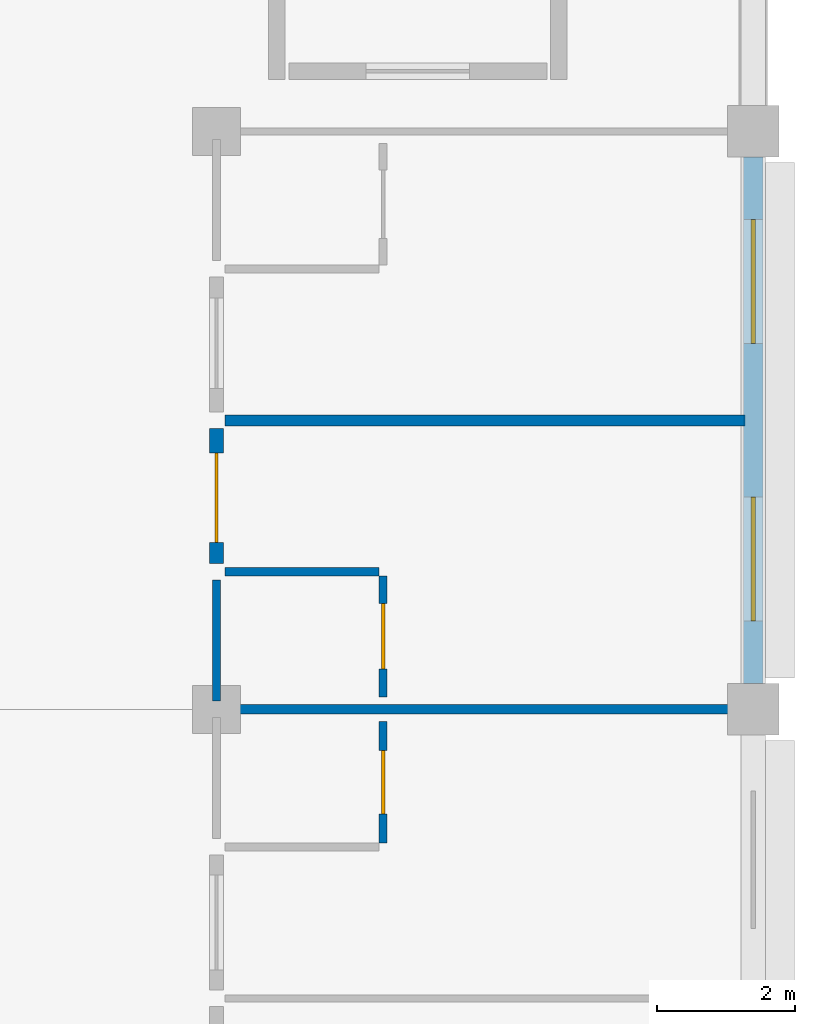
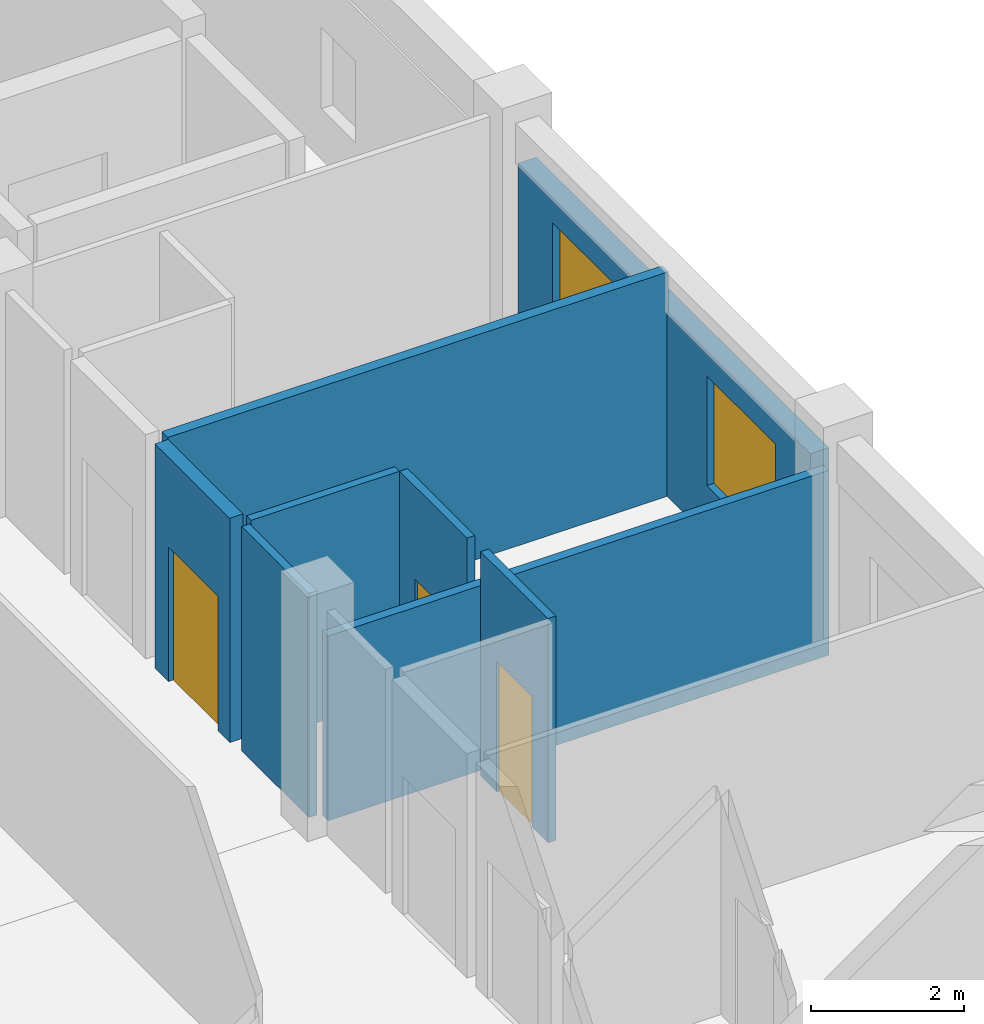
# One storey, part 56 of 72: 8 walls, 3 doors, 2 windows, 5 openings.
"""IFC4 building model written with IfcOpenShell, lengths in metres."""

from ifc_helpers import new_model, si_unit, direction, frame, frame_2d, origin, place, context, subcontext, project, spatial, rectangle, extrude, material, layer, layer_set, type_object, element, fill, save


model = new_model("IFC4")

# Units and contexts
model_context = context("Model", 3, precision=1e-05, world=origin(), true_north=direction((0.0, 1.0)))
body_context = subcontext(model_context, "Body", "Model", "MODEL_VIEW")
ifc_project = project(units=[si_unit("LENGTHUNIT", "METRE"), si_unit("AREAUNIT", "SQUARE_METRE"), si_unit("VOLUMEUNIT", "CUBIC_METRE"), si_unit("PLANEANGLEUNIT", "RADIAN"), si_unit("MASSUNIT", "GRAM", prefix="KILO"), si_unit("THERMODYNAMICTEMPERATUREUNIT", "KELVIN"), si_unit("POWERUNIT", "WATT")], contexts=[model_context])

# Site, building, storey
site_placement = place(None, origin())
site = spatial("IfcSite", under=ifc_project, at=site_placement, CompositionType="ELEMENT")
building_placement = place(site_placement, origin())
building = spatial("IfcBuilding", under=site, at=building_placement, Name="Srebrne Nadtorze General Hospital", CompositionType="ELEMENT")
storey_placement = place(building_placement, frame((0.0, 0.0, 22.199951171875)))
storey = spatial("IfcBuildingStorey", under=building, at=storey_placement, Name="L05", CompositionType="ELEMENT", Elevation=22.199951171875)

# Walls
ifc_material_1 = material(Name="Gypsum Healthcare Partition")
ifc_layer_1 = layer(ifc_material_1, 0.139892578125)
ifc_layer_set_1 = layer_set([ifc_layer_1], Name="Gypsum Healthcare Partition")
wall_type_1 = type_object("IfcWallType", Name="Clinical partition 140", PredefinedType="PARTITIONING", material=ifc_layer_set_1)
wall_1_placement = place(storey_placement, frame((140.52001953125, 58.800048828125, 0.0), z_axis=(0.0, 0.0, 1.0), x_axis=(1.0, 0.0, 0.0)))
element("IfcWall", 1, at=wall_1_placement, inside=storey, type_object=wall_type_1, Name="Ward inter-room partition WL-INT-L05-2080", PredefinedType="PARTITIONING", context=body_context, shape_type="SweptSolid", body=[
    extrude(rectangle(XDim=7.56005859375, YDim=0.139892578125, at=frame_2d((3.780029296875, 0.0))), origin(), (0.0, 0.0, 1.0), 2.949951171875),
])
ifc_material_2 = material(Name="Gypsum Healthcare Partition")
ifc_layer_2 = layer(ifc_material_2, 0.159912109375)
ifc_layer_set_2 = layer_set([ifc_layer_2], Name="Gypsum Healthcare Partition")
wall_type_2 = type_object("IfcWallType", Name="Clinical partition 160", PredefinedType="PARTITIONING", material=ifc_layer_set_2)
wall_2_placement = place(storey_placement, frame((140.52001953125, 63.0, 0.0), z_axis=(0.0, 0.0, 1.0), x_axis=(1.0, 0.0, 0.0)))
element("IfcWall", 2, at=wall_2_placement, inside=storey, type_object=wall_type_2, Name="Ward inter-room partition WL-INT-L05-2085", PredefinedType="PARTITIONING", context=body_context, shape_type="SweptSolid", body=[
    extrude(rectangle(XDim=7.56005859375, YDim=0.159912109375, at=frame_2d((3.780029296875, 0.0))), origin(), (0.0, 0.0, 1.0), 3.580078125),
])

# Wall, opening, door
ifc_material_3 = material(Name="Gypsum Healthcare Partition")
ifc_layer_3 = layer(ifc_material_3, 0.199951171875)
ifc_layer_set_3 = layer_set([ifc_layer_3], Name="Gypsum Healthcare Partition")
wall_type_3 = type_object("IfcWallType", Name="Compartment wall 200", PredefinedType="STANDARD", material=ifc_layer_set_3)
wall_3_placement = place(storey_placement, frame((140.39990234375, 60.919921875, 0.0), z_axis=(0.0, 0.0, 1.0), x_axis=(0.0, 1.0, 0.0)))
wall_3 = element("IfcWall", 3, at=wall_3_placement, inside=storey, type_object=wall_type_3, Name="Ward corridor wall WL-INT-L05-2086", PredefinedType="STANDARD", context=body_context, shape_type="SweptSolid", body=[
    extrude(rectangle(XDim=1.9599609375, YDim=0.199951171875, at=frame_2d((0.97998046875, 0.0))), origin(), (0.0, 0.0, 1.0), 3.580078125),
])
opening_1_placement = place(wall_3_placement, frame((0.304931640625, 0.0, 0.0)))
opening_1 = element("IfcOpeningElement", 4, at=opening_1_placement, cuts=wall_3, Name="Opening D-L05-0438", PredefinedType="OPENING", context=body_context, shape_type="SweptSolid", body=[
    extrude(rectangle(XDim=1.300048828125, YDim=2.14990234375, at=frame_2d((0.64990234375, 1.074951171875))), frame((0.0, 0.11181640625, 0.0), z_axis=(0.0, -1.0, 0.0), x_axis=(1.0, 0.0, 0.0)), (0.0, 0.0, 1.0), 0.223876953125),
])
ifc_material_4 = material(Name="Anodised Aluminium", Category="aluminium")
door_type_1 = type_object("IfcDoorType", Name="Single leaf door 1300x2150", OperationType="NOTDEFINED", PredefinedType="DOOR", material=ifc_material_4)
door_1_placement = place(opening_1_placement, frame((1.300048828125, 0.0, 0.0), z_axis=(0.0, 0.0, 1.0), x_axis=(-1.0, 0.0, 0.0)))
door_1 = element("IfcDoor", 5, at=door_1_placement, inside=storey, type_object=door_type_1, Name="Ward patient room door D-L05-0438", OperationType="SINGLE_SWING_RIGHT", OverallHeight=2.14990234375, OverallWidth=1.300048828125, PredefinedType="DOOR", context=body_context, shape_type="SweptSolid", body=[
    extrude(rectangle(XDim=1.300048828125, YDim=2.14990234375, at=frame_2d((0.64990234375, 1.074951171875))), frame((0.0, 0.02490234375, 0.0), z_axis=(0.0, -1.0, 0.0), x_axis=(1.0, 0.0, 0.0)), (0.0, 0.0, 1.0), 0.050048828125),
])
fill(opening_1, door_1)

ifc_material_5 = material(Name="Gypsum Healthcare Partition")
ifc_layer_4 = layer(ifc_material_5, 0.1201171875)
ifc_layer_set_4 = layer_set([ifc_layer_4], Name="Gypsum Healthcare Partition")
wall_type_4 = type_object("IfcWallType", Name="En-suite partition 120", PredefinedType="PARTITIONING", material=ifc_layer_set_4)
wall_4_placement = place(storey_placement, frame((142.820068359375, 56.860107421875, 0.0), z_axis=(0.0, 0.0, 1.0), x_axis=(0.0, 1.0, 0.0)))
wall_4 = element("IfcWall", 6, at=wall_4_placement, inside=storey, type_object=wall_type_4, Name="En-suite wet wall WL-INT-L05-2084", PredefinedType="PARTITIONING", context=body_context, shape_type="SweptSolid", body=[
    extrude(rectangle(XDim=1.760009765625, YDim=0.1201171875, at=frame_2d((0.8798828125, 0.0))), origin(), (0.0, 0.0, 1.0), 3.580078125),
])
opening_2_placement = place(wall_4_placement, frame((0.419921875, 0.0, 0.0)))
opening_2 = element("IfcOpeningElement", 7, at=opening_2_placement, cuts=wall_4, Name="Opening D-L05-0437", PredefinedType="OPENING", context=body_context, shape_type="SweptSolid", body=[
    extrude(rectangle(XDim=0.919921875, YDim=2.080078125, at=frame_2d((0.4599609375, 1.0400390625))), frame((0.0, 0.072021484375, 0.0), z_axis=(0.0, -1.0, 0.0), x_axis=(1.0, 0.0, 0.0)), (0.0, 0.0, 1.0), 0.14404296875),
])
ifc_material_6 = material(Name="Anodised Aluminium", Category="aluminium")
door_type_2 = type_object("IfcDoorType", Name="Single leaf door 920x2080", OperationType="NOTDEFINED", PredefinedType="DOOR", material=ifc_material_6)
door_2_placement = place(opening_2_placement, origin())
door_2 = element("IfcDoor", 8, at=door_2_placement, inside=storey, type_object=door_type_2, Name="En-suite bathroom door D-L05-0437", OperationType="SINGLE_SWING_LEFT", OverallHeight=2.080078125, OverallWidth=0.919921875, PredefinedType="DOOR", context=body_context, shape_type="SweptSolid", body=[
    extrude(rectangle(XDim=0.919921875, YDim=2.080078125, at=frame_2d((0.4599609375, 1.0400390625))), frame((0.0, 0.02490234375, 0.0), z_axis=(0.0, -1.0, 0.0), x_axis=(1.0, 0.0, 0.0)), (0.0, 0.0, 1.0), 0.050048828125),
])
fill(opening_2, door_2)

# Walls
wall_5_placement = place(storey_placement, frame((140.39990234375, 58.919921875, 0.0), z_axis=(0.0, 0.0, 1.0), x_axis=(0.0, 1.0, 0.0)))
element("IfcWall", 9, at=wall_5_placement, inside=storey, type_object=wall_type_4, Name="En-suite corridor wall WL-INT-L05-2087", PredefinedType="PARTITIONING", context=body_context, shape_type="SweptSolid", body=[
    extrude(rectangle(XDim=1.760009765625, YDim=0.1201171875, at=frame_2d((0.8798828125, 0.0))), origin(), (0.0, 0.0, 1.0), 3.580078125),
])
wall_6_placement = place(storey_placement, frame((140.52001953125, 60.800048828125, 0.0), z_axis=(0.0, 0.0, 1.0), x_axis=(1.0, 0.0, 0.0)))
element("IfcWall", 10, at=wall_6_placement, inside=storey, type_object=wall_type_4, Name="En-suite wet wall WL-INT-L05-2088", PredefinedType="PARTITIONING", context=body_context, shape_type="SweptSolid", body=[
    extrude(rectangle(XDim=2.239990234375, YDim=0.1201171875, at=frame_2d((1.1201171875, 0.0))), origin(), (0.0, 0.0, 1.0), 3.580078125),
])

# Wall, opening, door
wall_7_placement = place(storey_placement, frame((142.820068359375, 58.97998046875, 0.0), z_axis=(0.0, 0.0, 1.0), x_axis=(0.0, 1.0, 0.0)))
wall_7 = element("IfcWall", 11, at=wall_7_placement, inside=storey, type_object=wall_type_4, Name="En-suite wet wall WL-INT-L05-2089", PredefinedType="PARTITIONING", context=body_context, shape_type="SweptSolid", body=[
    extrude(rectangle(XDim=1.760009765625, YDim=0.1201171875, at=frame_2d((0.8798828125, 0.0))), origin(), (0.0, 0.0, 1.0), 3.580078125),
])
opening_3_placement = place(wall_7_placement, frame((0.405029296875, 0.0, 0.0)))
opening_3 = element("IfcOpeningElement", 12, at=opening_3_placement, cuts=wall_7, Name="Opening D-L05-0439", PredefinedType="OPENING", context=body_context, shape_type="SweptSolid", body=[
    extrude(rectangle(XDim=0.949951171875, YDim=2.10009765625, at=frame_2d((0.47509765625, 1.050048828125))), frame((0.0, 0.072021484375, 0.0), z_axis=(0.0, -1.0, 0.0), x_axis=(1.0, 0.0, 0.0)), (0.0, 0.0, 1.0), 0.14404296875),
])
ifc_material_7 = material(Name="Anodised Aluminium", Category="aluminium")
door_type_3 = type_object("IfcDoorType", Name="Single leaf door 950x2100", OperationType="NOTDEFINED", PredefinedType="DOOR", material=ifc_material_7)
door_3_placement = place(opening_3_placement, origin())
door_3 = element("IfcDoor", 13, at=door_3_placement, inside=storey, type_object=door_type_3, Name="En-suite bathroom door D-L05-0439", OperationType="SINGLE_SWING_LEFT", OverallHeight=2.10009765625, OverallWidth=0.949951171875, PredefinedType="DOOR", context=body_context, shape_type="SweptSolid", body=[
    extrude(rectangle(XDim=0.949951171875, YDim=2.10009765625, at=frame_2d((0.47509765625, 1.050048828125))), frame((0.0, 0.02490234375, 0.0), z_axis=(0.0, -1.0, 0.0), x_axis=(1.0, 0.0, 0.0)), (0.0, 0.0, 1.0), 0.050048828125),
])
fill(opening_3, door_3)

# Wall, openings, windows
ifc_material_8 = material(Name="Concrete C35/45 precast", Category="concrete")
ifc_layer_5 = layer(ifc_material_8, 0.280029296875)
ifc_layer_set_5 = layer_set([ifc_layer_5], Name="Concrete C35/45 precast")
wall_type_5 = type_object("IfcWallType", Name="Spandrel wall 280", PredefinedType="STANDARD", material=ifc_layer_set_5)
wall_8_placement = place(storey_placement, frame((148.199951171875, 59.175048828125, 0.0), z_axis=(0.0, 0.0, 1.0), x_axis=(0.0, 1.0, 0.0)))
wall_8 = element("IfcWall", 14, at=wall_8_placement, inside=storey, type_object=wall_type_5, Name="Exterior wall WL-ENV-L05-0456", PredefinedType="STANDARD", context=body_context, shape_type="SweptSolid", body=[
    extrude(rectangle(XDim=7.64990234375, YDim=0.280029296875, at=frame_2d((3.824951171875, 0.0))), origin(), (0.0, 0.0, 1.0), 2.949951171875),
])
opening_4_placement = place(wall_8_placement, frame((0.908935546875, 0.0, 0.800048828125)))
opening_4 = element("IfcOpeningElement", 15, at=opening_4_placement, cuts=wall_8, Name="Opening WN-L05-0747", PredefinedType="OPENING", context=body_context, shape_type="SweptSolid", body=[
    extrude(rectangle(XDim=1.800048828125, YDim=1.75, at=frame_2d((0.89990234375, 0.875))), frame((0.0, 0.15185546875, 0.0), z_axis=(0.0, -1.0, 0.0), x_axis=(1.0, 0.0, 0.0)), (0.0, 0.0, 1.0), 0.303955078125),
])
opening_5_placement = place(wall_8_placement, frame((4.94091796875, 0.0, 0.800048828125)))
opening_5 = element("IfcOpeningElement", 16, at=opening_5_placement, cuts=wall_8, Name="Opening WN-L05-0748", PredefinedType="OPENING", context=body_context, shape_type="SweptSolid", body=[
    extrude(rectangle(XDim=1.800048828125, YDim=1.75, at=frame_2d((0.89990234375, 0.875))), frame((0.0, 0.15185546875, 0.0), z_axis=(0.0, -1.0, 0.0), x_axis=(1.0, 0.0, 0.0)), (0.0, 0.0, 1.0), 0.303955078125),
])
ifc_material_9 = material(Name="Triple Low-E Glazing", Category="glass")
window_type = type_object("IfcWindowType", Name="Punched clinical window 1800x1750", PartitioningType="DOUBLE_PANEL_VERTICAL", PredefinedType="WINDOW", material=ifc_material_9)
window_1_placement = place(opening_4_placement, origin())
window_1 = element("IfcWindow", 17, at=window_1_placement, inside=storey, type_object=window_type, Name="Clinical window WN-L05-0747", OverallHeight=1.75, OverallWidth=1.800048828125, PartitioningType="DOUBLE_PANEL_VERTICAL", PredefinedType="WINDOW", context=body_context, shape_type="SweptSolid", body=[
    extrude(rectangle(XDim=1.800048828125, YDim=1.75, at=frame_2d((0.89990234375, 0.875))), frame((0.0, 0.030029296875, 0.0), z_axis=(0.0, -1.0, 0.0), x_axis=(1.0, 0.0, 0.0)), (0.0, 0.0, 1.0), 0.06005859375),
])
fill(opening_4, window_1)
window_2_placement = place(opening_5_placement, origin())
window_2 = element("IfcWindow", 18, at=window_2_placement, inside=storey, type_object=window_type, Name="Clinical window WN-L05-0748", OverallHeight=1.75, OverallWidth=1.800048828125, PartitioningType="DOUBLE_PANEL_VERTICAL", PredefinedType="WINDOW", context=body_context, shape_type="SweptSolid", body=[
    extrude(rectangle(XDim=1.800048828125, YDim=1.75, at=frame_2d((0.89990234375, 0.875))), frame((0.0, 0.030029296875, 0.0), z_axis=(0.0, -1.0, 0.0), x_axis=(1.0, 0.0, 0.0)), (0.0, 0.0, 1.0), 0.06005859375),
])
fill(opening_5, window_2)

save(model, "model.ifc")
